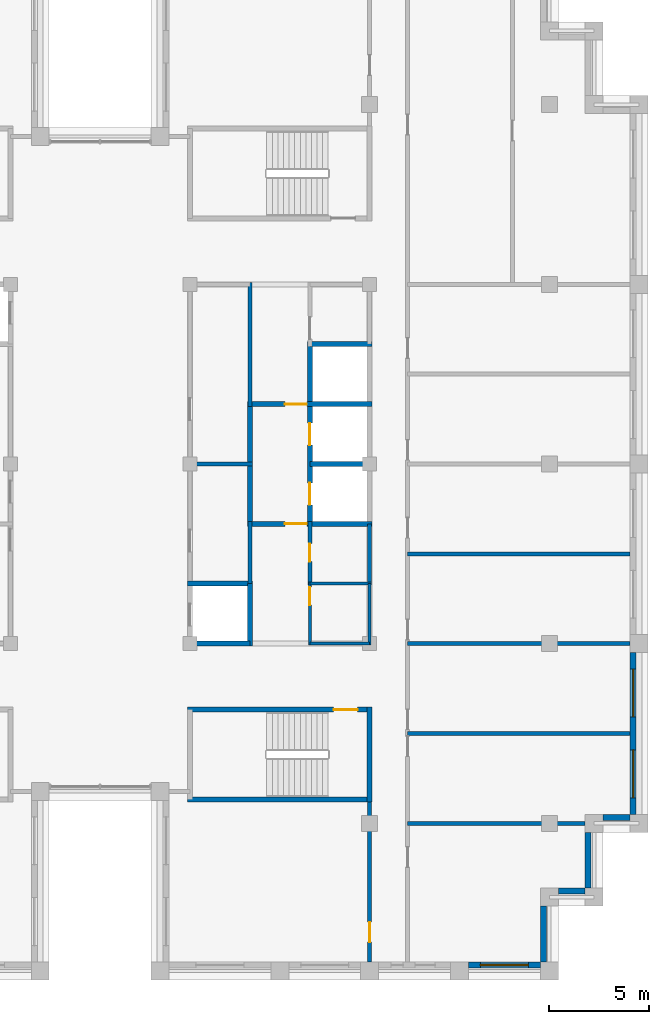
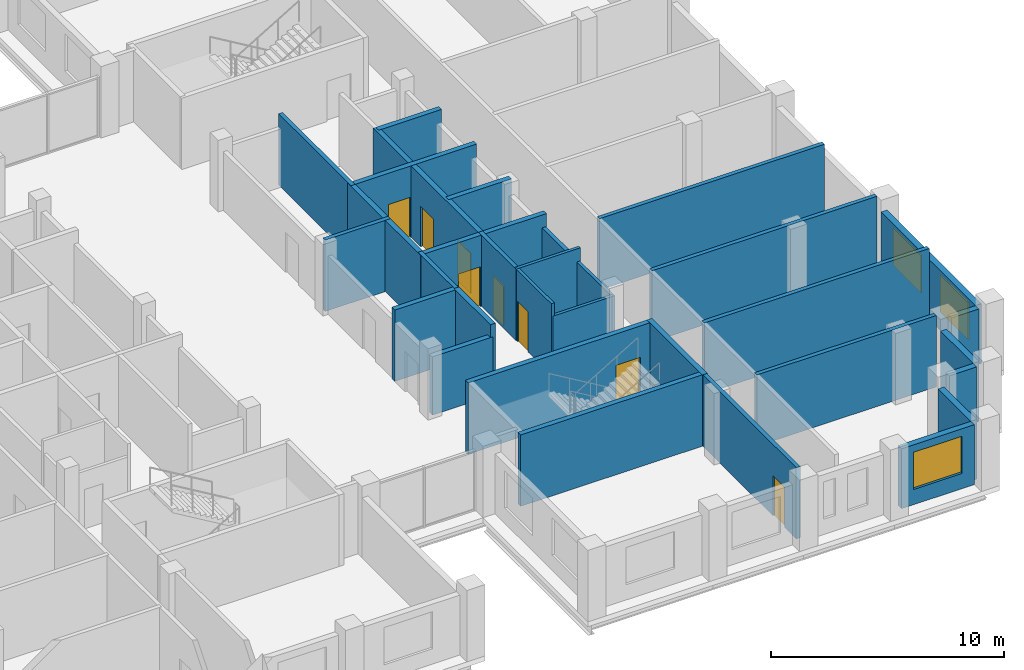
# One storey, part 8 of 13: 32 walls, 8 doors, 3 windows, 11 openings.
"""IFC4 building model written with IfcOpenShell, lengths in metres."""

from ifc_helpers import new_model, si_unit, direction, frame, frame_2d, origin, place, context, subcontext, project, spatial, rectangle, extrude, material, layer, layer_set, type_object, element, fill, save


model = new_model("IFC4")

# Units and contexts
model_context = context("Model", 3, precision=1e-05, world=origin(), true_north=direction((0.0, 1.0)))
body_context = subcontext(model_context, "Body", "Model", "MODEL_VIEW")
ifc_project = project(units=[si_unit("LENGTHUNIT", "METRE"), si_unit("AREAUNIT", "SQUARE_METRE"), si_unit("VOLUMEUNIT", "CUBIC_METRE"), si_unit("PLANEANGLEUNIT", "RADIAN"), si_unit("MASSUNIT", "GRAM", prefix="KILO")], contexts=[model_context])

# Site, building, storey
site_placement = place(None, origin())
site = spatial("IfcSite", under=ifc_project, at=site_placement, CompositionType="ELEMENT")
building_placement = place(site_placement, origin())
building = spatial("IfcBuilding", under=site, at=building_placement, Name="Corbelhall Arena Tower", CompositionType="ELEMENT")
storey_placement = place(building_placement, frame((0.0, 0.0, 338.0)))
storey = spatial("IfcBuildingStorey", under=building, at=storey_placement, Name="L74", CompositionType="ELEMENT", Elevation=338.0)

# Wall, opening, window
ifc_material_1 = material(Name="Precast concrete C40/50 with granite facing", Category="masonry")
ifc_layer_1 = layer(ifc_material_1, 0.300048828125)
ifc_layer_set_1 = layer_set([ifc_layer_1], Name="EV-IW1 Infill panel 300")
wall_type_1 = type_object("IfcWallType", Name="EV-IW1 Infill panel 300", PredefinedType="SOLIDWALL", material=ifc_layer_set_1)
wall_1_placement = place(storey_placement, frame((18.449951171875, -25.10009765625, 0.0), z_axis=(0.0, 0.0, 1.0), x_axis=(1.0, 0.0, 0.0)))
wall_1 = element("IfcWall", 1, at=wall_1_placement, inside=storey, type_object=wall_type_1, Name="Infill panel IW1", PredefinedType="SOLIDWALL", context=body_context, shape_type="SweptSolid", body=[
    extrude(rectangle(XDim=3.60009765625, YDim=0.300048828125, at=frame_2d((1.800048828125, 0.0))), origin(), (0.0, 0.0, 1.0), 3.139892578125),
])
opening_1_placement = place(wall_1_placement, frame((0.60009765625, 0.0, 0.800048828125)))
opening_1 = element("IfcOpeningElement", 2, at=opening_1_placement, cuts=wall_1, Name="Opening WN1", PredefinedType="OPENING", context=body_context, shape_type="SweptSolid", body=[
    extrude(rectangle(XDim=2.39990234375, YDim=1.949951171875, at=frame_2d((1.199951171875, 0.97509765625))), frame((0.0, 0.14990234375, 0.0), z_axis=(0.0, -1.0, 0.0), x_axis=(1.0, 0.0, 0.0)), (0.0, 0.0, 1.0), 0.300048828125),
])
ifc_material_2 = material(Name="Aluminium black anodised", Category="aluminium")
window_type = type_object("IfcWindowType", Name="EV-WN1 Office window", PartitioningType="SINGLE_PANEL", PredefinedType="WINDOW", material=ifc_material_2)
window_1_placement = place(opening_1_placement, origin())
window_1 = element("IfcWindow", 3, at=window_1_placement, inside=storey, type_object=window_type, Name="Window WN1", OverallHeight=1.949951171875, OverallWidth=2.39990234375, PartitioningType="SINGLE_PANEL", PredefinedType="WINDOW", context=body_context, shape_type="SweptSolid", body=[
    extrude(rectangle(XDim=2.39990234375, YDim=1.949951171875, at=frame_2d((1.199951171875, 0.97509765625))), frame((0.0, 0.030029296875, 0.0), z_axis=(0.0, -1.0, 0.0), x_axis=(1.0, 0.0, 0.0)), (0.0, 0.0, 1.0), 0.06005859375),
])
fill(opening_1, window_1)

# Walls
wall_2_placement = place(storey_placement, frame((22.199951171875, -24.949951171875, 0.0), z_axis=(0.0, 0.0, 1.0), x_axis=(0.0, 1.0, 0.0)))
element("IfcWall", 4, at=wall_2_placement, inside=storey, type_object=wall_type_1, Name="Infill panel IW1", PredefinedType="SOLIDWALL", context=body_context, shape_type="SweptSolid", body=[
    extrude(rectangle(XDim=2.800048828125, YDim=0.300048828125, at=frame_2d((1.39990234375, 0.0))), origin(), (0.0, 0.0, 1.0), 3.139892578125),
])
wall_3_placement = place(storey_placement, frame((22.949951171875, -21.39990234375, 0.0), z_axis=(0.0, 0.0, 1.0), x_axis=(1.0, 0.0, 0.0)))
element("IfcWall", 5, at=wall_3_placement, inside=storey, type_object=wall_type_1, Name="Infill panel IW1", PredefinedType="SOLIDWALL", context=body_context, shape_type="SweptSolid", body=[
    extrude(rectangle(XDim=1.35009765625, YDim=0.300048828125, at=frame_2d((0.675048828125, 0.0))), origin(), (0.0, 0.0, 1.0), 3.139892578125),
])
wall_4_placement = place(storey_placement, frame((24.449951171875, -21.25, 0.0), z_axis=(0.0, 0.0, 1.0), x_axis=(0.0, 1.0, 0.0)))
element("IfcWall", 6, at=wall_4_placement, inside=storey, type_object=wall_type_1, Name="Infill panel IW1", PredefinedType="SOLIDWALL", context=body_context, shape_type="SweptSolid", body=[
    extrude(rectangle(XDim=2.800048828125, YDim=0.300048828125, at=frame_2d((1.39990234375, 0.0))), origin(), (0.0, 0.0, 1.0), 3.139892578125),
])
wall_5_placement = place(storey_placement, frame((25.199951171875, -17.699951171875, 0.0), z_axis=(0.0, 0.0, 1.0), x_axis=(1.0, 0.0, 0.0)))
element("IfcWall", 7, at=wall_5_placement, inside=storey, type_object=wall_type_1, Name="Infill panel IW1", PredefinedType="SOLIDWALL", context=body_context, shape_type="SweptSolid", body=[
    extrude(rectangle(XDim=1.35009765625, YDim=0.300048828125, at=frame_2d((0.675048828125, 0.0))), origin(), (0.0, 0.0, 1.0), 3.139892578125),
])

# Wall, openings, windows
wall_6_placement = place(storey_placement, frame((26.699951171875, -17.550048828125, 0.0), z_axis=(0.0, 0.0, 1.0), x_axis=(0.0, 1.0, 0.0)))
wall_6 = element("IfcWall", 8, at=wall_6_placement, inside=storey, type_object=wall_type_1, Name="Infill panel IW1", PredefinedType="SOLIDWALL", context=body_context, shape_type="SweptSolid", body=[
    extrude(rectangle(XDim=8.10009765625, YDim=0.300048828125, at=frame_2d((4.050048828125, 0.0))), origin(), (0.0, 0.0, 1.0), 3.139892578125),
])
opening_2_placement = place(wall_6_placement, frame((0.824951171875, 0.0, 0.800048828125)))
opening_2 = element("IfcOpeningElement", 9, at=opening_2_placement, cuts=wall_6, Name="Opening WN1", PredefinedType="OPENING", context=body_context, shape_type="SweptSolid", body=[
    extrude(rectangle(XDim=2.39990234375, YDim=1.949951171875, at=frame_2d((1.199951171875, 0.97509765625))), frame((0.0, 0.14990234375, 0.0), z_axis=(0.0, -1.0, 0.0), x_axis=(1.0, 0.0, 0.0)), (0.0, 0.0, 1.0), 0.300048828125),
])
opening_3_placement = place(wall_6_placement, frame((4.875, 0.0, 0.800048828125)))
opening_3 = element("IfcOpeningElement", 10, at=opening_3_placement, cuts=wall_6, Name="Opening WN1", PredefinedType="OPENING", context=body_context, shape_type="SweptSolid", body=[
    extrude(rectangle(XDim=2.39990234375, YDim=1.949951171875, at=frame_2d((1.199951171875, 0.97509765625))), frame((0.0, 0.14990234375, 0.0), z_axis=(0.0, -1.0, 0.0), x_axis=(1.0, 0.0, 0.0)), (0.0, 0.0, 1.0), 0.300048828125),
])
window_2_placement = place(opening_2_placement, origin())
window_2 = element("IfcWindow", 11, at=window_2_placement, inside=storey, type_object=window_type, Name="Window WN1", OverallHeight=1.949951171875, OverallWidth=2.39990234375, PartitioningType="SINGLE_PANEL", PredefinedType="WINDOW", context=body_context, shape_type="SweptSolid", body=[
    extrude(rectangle(XDim=2.39990234375, YDim=1.949951171875, at=frame_2d((1.199951171875, 0.97509765625))), frame((0.0, 0.030029296875, 0.0), z_axis=(0.0, -1.0, 0.0), x_axis=(1.0, 0.0, 0.0)), (0.0, 0.0, 1.0), 0.06005859375),
])
fill(opening_2, window_2)
window_3_placement = place(opening_3_placement, origin())
window_3 = element("IfcWindow", 12, at=window_3_placement, inside=storey, type_object=window_type, Name="Window WN1", OverallHeight=1.949951171875, OverallWidth=2.39990234375, PartitioningType="SINGLE_PANEL", PredefinedType="WINDOW", context=body_context, shape_type="SweptSolid", body=[
    extrude(rectangle(XDim=2.39990234375, YDim=1.949951171875, at=frame_2d((1.199951171875, 0.97509765625))), frame((0.0, 0.030029296875, 0.0), z_axis=(0.0, -1.0, 0.0), x_axis=(1.0, 0.0, 0.0)), (0.0, 0.0, 1.0), 0.06005859375),
])
fill(opening_3, window_3)

# Wall, opening, door
ifc_material_3 = material(Name="Gypsum board on steel stud, acoustic", Category="steel")
ifc_layer_2 = layer(ifc_material_3, 0.199951171875)
ifc_layer_set_2 = layer_set([ifc_layer_2], Name="IN-W-DM200")
wall_type_2 = type_object("IfcWallType", Name="IN-W-DM200", PredefinedType="PARTITIONING", material=ifc_layer_set_2)
wall_7_placement = place(storey_placement, frame((13.5, -24.949951171875, 0.0), z_axis=(0.0, 0.0, 1.0), x_axis=(0.0, 1.0, 0.0)))
wall_7 = element("IfcWall", 13, at=wall_7_placement, inside=storey, type_object=wall_type_2, Name="Partition 020", PredefinedType="PARTITIONING", context=body_context, shape_type="SweptSolid", body=[
    extrude(rectangle(XDim=8.27490234375, YDim=0.199951171875, at=frame_2d((4.137451171875, 0.0))), origin(), (0.0, 0.0, 1.0), 3.739990234375),
])
opening_4_placement = place(wall_7_placement, frame((1.0, 0.0, 0.0)))
opening_4 = element("IfcOpeningElement", 14, at=opening_4_placement, cuts=wall_7, Name="Opening 24021", PredefinedType="OPENING", context=body_context, shape_type="SweptSolid", body=[
    extrude(rectangle(XDim=1.0, YDim=2.10009765625, at=frame_2d((0.5, 1.050048828125))), frame((0.0, 0.10009765625, 0.0), z_axis=(0.0, -1.0, 0.0), x_axis=(1.0, 0.0, 0.0)), (0.0, 0.0, 1.0), 0.199951171875),
])
ifc_material_4 = material(Name="Steel door set", Category="steel")
door_type_1 = type_object("IfcDoorType", Name="IN-D-SW100", OperationType="NOTDEFINED", PredefinedType="DOOR", material=ifc_material_4)
door_1_placement = place(opening_4_placement, origin())
door_1 = element("IfcDoor", 15, at=door_1_placement, inside=storey, type_object=door_type_1, Name="Door 021", OperationType="SINGLE_SWING_RIGHT", OverallHeight=2.10009765625, OverallWidth=1.0, PredefinedType="DOOR", context=body_context, shape_type="SweptSolid", body=[
    extrude(rectangle(XDim=1.0, YDim=2.10009765625, at=frame_2d((0.5, 1.050048828125))), frame((0.0, 0.02490234375, 0.0), z_axis=(0.0, -1.0, 0.0), x_axis=(1.0, 0.0, 0.0)), (0.0, 0.0, 1.0), 0.050048828125),
])
fill(opening_4, door_1)

# Walls
wall_8_placement = place(storey_placement, frame((15.39990234375, -18.0, 0.0), z_axis=(0.0, 0.0, 1.0), x_axis=(1.0, 0.0, 0.0)))
element("IfcWall", 16, at=wall_8_placement, inside=storey, type_object=wall_type_2, Name="Partition 022", PredefinedType="PARTITIONING", context=body_context, shape_type="SweptSolid", body=[
    extrude(rectangle(XDim=8.900146484375, YDim=0.199951171875, at=frame_2d((4.4501953125, 0.0))), origin(), (0.0, 0.0, 1.0), 3.739990234375),
])
for number, where, z_axis, x_axis, name in (
    (17, (15.39990234375, -13.5, 0.0), (0.0, 0.0, 1.0), (1.0, 0.0, 0.0), "Partition 024"),
    (18, (15.39990234375, -9.0, 0.0), (0.0, 0.0, 1.0), (1.0, 0.0, 0.0), "Partition 025"),
    (19, (15.39990234375, -4.5, 0.0), (0.0, 0.0, 1.0), (1.0, 0.0, 0.0), "Partition 026"),
):
    element("IfcWall", number, at=place(storey_placement, frame(where, z_axis=z_axis, x_axis=x_axis)), inside=storey, type_object=wall_type_2, Name=name, PredefinedType="PARTITIONING", context=body_context, shape_type="SweptSolid", body=[
        extrude(rectangle(XDim=11.150146484375, YDim=0.199951171875, at=frame_2d((5.5751953125, 0.0))), origin(), (0.0, 0.0, 1.0), 3.739990234375),
    ])
ifc_material_5 = material(Name="Concrete block wall", Category="concrete")
ifc_layer_3 = layer(ifc_material_5, 0.199951171875)
ifc_layer_set_3 = layer_set([ifc_layer_3], Name="IN-W-RS200")
wall_type_3 = type_object("IfcWallType", Name="IN-W-RS200", PredefinedType="SOLIDWALL", material=ifc_layer_set_3)
wall_9_placement = place(storey_placement, frame((4.39990234375, 0.0, 0.0), z_axis=(0.0, 0.0, 1.0), x_axis=(1.0, 0.0, 0.0)))
element("IfcWall", 20, at=wall_9_placement, inside=storey, type_object=wall_type_3, Name="Partition 038", PredefinedType="SOLIDWALL", context=body_context, shape_type="SweptSolid", body=[
    extrude(rectangle(XDim=3.22509765625, YDim=0.199951171875, at=frame_2d((1.612548828125, 0.0))), origin(), (0.0, 0.0, 1.0), 3.739990234375),
])
wall_10_placement = place(storey_placement, frame((7.5, -2.875, 0.0), z_axis=(0.0, 0.0, 1.0), x_axis=(0.0, -1.0, 0.0)))
element("IfcWall", 21, at=wall_10_placement, inside=storey, type_object=wall_type_3, Name="Partition 041", PredefinedType="SOLIDWALL", context=body_context, shape_type="SweptSolid", body=[
    extrude(rectangle(XDim=3.125, YDim=0.199951171875, at=frame_2d((1.5625, 0.0))), origin(), (0.0, 0.0, 1.0), 3.739990234375),
])
wall_11_placement = place(storey_placement, frame((7.5, 9.10009765625, 0.0), z_axis=(0.0, 0.0, 1.0), x_axis=(0.0, -1.0, 0.0)))
element("IfcWall", 22, at=wall_11_placement, inside=storey, type_object=wall_type_3, Name="Partition 042", PredefinedType="SOLIDWALL", context=body_context, shape_type="SweptSolid", body=[
    extrude(rectangle(XDim=6.22509765625, YDim=0.199951171875, at=frame_2d((3.112548828125, 0.0))), origin(), (0.0, 0.0, 1.0), 3.739990234375),
])

# Wall, opening, door
wall_12_placement = place(storey_placement, frame((10.5, -2.875, 0.0), z_axis=(0.0, 0.0, 1.0), x_axis=(0.0, -1.0, 0.0)))
wall_12 = element("IfcWall", 23, at=wall_12_placement, inside=storey, type_object=wall_type_3, Name="Partition 043", PredefinedType="SOLIDWALL", context=body_context, shape_type="SweptSolid", body=[
    extrude(rectangle(XDim=3.199951171875, YDim=0.199951171875, at=frame_2d((1.60009765625, 0.0))), origin(), (0.0, 0.0, 1.0), 3.739990234375),
])
opening_5_placement = place(wall_12_placement, frame((1.1201171875, 0.0, 0.0)))
opening_5 = element("IfcOpeningElement", 24, at=opening_5_placement, cuts=wall_12, Name="Opening 24039", PredefinedType="OPENING", context=body_context, shape_type="SweptSolid", body=[
    extrude(rectangle(XDim=0.89990234375, YDim=2.10009765625, at=frame_2d((0.449951171875, 1.050048828125))), frame((0.0, 0.10009765625, 0.0), z_axis=(0.0, -1.0, 0.0), x_axis=(1.0, 0.0, 0.0)), (0.0, 0.0, 1.0), 0.199951171875),
])
ifc_material_6 = material(Name="Timber door set", Category="wood")
door_type_2 = type_object("IfcDoorType", Name="IN-D-SW90", OperationType="NOTDEFINED", PredefinedType="DOOR", material=ifc_material_6)
door_2_placement = place(opening_5_placement, origin())
door_2 = element("IfcDoor", 25, at=door_2_placement, inside=storey, type_object=door_type_2, Name="Door 039", OperationType="SINGLE_SWING_LEFT", OverallHeight=2.10009765625, OverallWidth=0.89990234375, PredefinedType="DOOR", context=body_context, shape_type="SweptSolid", body=[
    extrude(rectangle(XDim=0.89990234375, YDim=2.10009765625, at=frame_2d((0.449951171875, 1.050048828125))), frame((0.0, 0.02490234375, 0.0), z_axis=(0.0, -1.0, 0.0), x_axis=(1.0, 0.0, 0.0)), (0.0, 0.0, 1.0), 0.050048828125),
])
fill(opening_5, door_2)

# Walls
ifc_layer_4 = layer(ifc_material_5, 0.199951171875)
ifc_layer_set_4 = layer_set([ifc_layer_4], Name="IN-W-RS200 under beam 678 mm")
wall_type_4 = type_object("IfcWallType", Name="IN-W-RS200 under beam 678 mm", PredefinedType="SOLIDWALL", material=ifc_layer_set_4)
wall_13_placement = place(storey_placement, frame((13.5, -3.0, 0.0), z_axis=(0.0, 0.0, 1.0), x_axis=(0.0, -1.0, 0.0)))
element("IfcWall", 26, at=wall_13_placement, inside=storey, type_object=wall_type_4, Name="Partition 046", PredefinedType="SOLIDWALL", context=body_context, shape_type="SweptSolid", body=[
    extrude(rectangle(XDim=3.0, YDim=0.199951171875, at=frame_2d((1.5, 0.0))), origin(), (0.0, 0.0, 1.0), 3.061767578125),
])
ifc_material_7 = material(Name="Concrete C40/50", Category="concrete")
ifc_layer_5 = layer(ifc_material_7, 0.25)
ifc_layer_set_5 = layer_set([ifc_layer_5], Name="IN-W-SH250")
wall_type_5 = type_object("IfcWallType", Name="IN-W-SH250", PredefinedType="SOLIDWALL", material=ifc_layer_set_5)
wall_14_placement = place(storey_placement, frame((4.375, -6.0, 0.0), z_axis=(0.0, 0.0, 1.0), x_axis=(1.0, 0.0, 0.0)))
element("IfcWall", 27, at=wall_14_placement, inside=storey, type_object=wall_type_5, Name="Shaft wall 058", PredefinedType="SOLIDWALL", context=body_context, shape_type="SweptSolid", body=[
    extrude(rectangle(XDim=3.25, YDim=0.25, at=frame_2d((1.625, 0.0))), origin(), (0.0, 0.0, 1.0), 3.739990234375),
])
wall_15_placement = place(storey_placement, frame((7.5, -6.0, 0.0), z_axis=(0.0, 0.0, 1.0), x_axis=(0.0, -1.0, 0.0)))
element("IfcWall", 28, at=wall_15_placement, inside=storey, type_object=wall_type_5, Name="Shaft wall 061", PredefinedType="SOLIDWALL", context=body_context, shape_type="SweptSolid", body=[
    extrude(rectangle(XDim=3.125, YDim=0.25, at=frame_2d((1.5625, 0.0))), origin(), (0.0, 0.0, 1.0), 3.739990234375),
])

# Wall, opening, door
wall_16_placement = place(storey_placement, frame((7.5, -3.0, 0.0), z_axis=(0.0, 0.0, 1.0), x_axis=(1.0, 0.0, 0.0)))
wall_16 = element("IfcWall", 29, at=wall_16_placement, inside=storey, type_object=wall_type_5, Name="Shaft wall 062", PredefinedType="SOLIDWALL", context=body_context, shape_type="SweptSolid", body=[
    extrude(rectangle(XDim=6.125, YDim=0.25, at=frame_2d((3.0625, 0.0))), origin(), (0.0, 0.0, 1.0), 3.739990234375),
])
opening_6_placement = place(wall_16_placement, frame((1.75, 0.0, 0.0)))
opening_6 = element("IfcOpeningElement", 30, at=opening_6_placement, cuts=wall_16, Name="Opening 24010", PredefinedType="OPENING", context=body_context, shape_type="SweptSolid", body=[
    extrude(rectangle(XDim=1.10009765625, YDim=2.10009765625, at=frame_2d((0.550048828125, 1.050048828125))), frame((0.0, 0.125, 0.0), z_axis=(0.0, -1.0, 0.0), x_axis=(1.0, 0.0, 0.0)), (0.0, 0.0, 1.0), 0.25),
])
door_type_3 = type_object("IfcDoorType", Name="IN-D-FD110", OperationType="NOTDEFINED", PredefinedType="DOOR", material=ifc_material_4)
door_3_placement = place(opening_6_placement, origin())
door_3 = element("IfcDoor", 31, at=door_3_placement, inside=storey, type_object=door_type_3, Name="Door 010", OperationType="SINGLE_SWING_LEFT", OverallHeight=2.10009765625, OverallWidth=1.10009765625, PredefinedType="DOOR", context=body_context, shape_type="SweptSolid", body=[
    extrude(rectangle(XDim=1.10009765625, YDim=2.10009765625, at=frame_2d((0.550048828125, 1.050048828125))), frame((0.0, 0.02490234375, 0.0), z_axis=(0.0, -1.0, 0.0), x_axis=(1.0, 0.0, 0.0)), (0.0, 0.0, 1.0), 0.050048828125),
])
fill(opening_6, door_3)

# Wall
wall_17_placement = place(storey_placement, frame((7.5, 3.125, 0.0), z_axis=(0.0, 0.0, 1.0), x_axis=(0.0, -1.0, 0.0)))
element("IfcWall", 32, at=wall_17_placement, inside=storey, type_object=wall_type_5, Name="Shaft wall 063", PredefinedType="SOLIDWALL", context=body_context, shape_type="SweptSolid", body=[
    extrude(rectangle(XDim=6.25, YDim=0.25, at=frame_2d((3.125, 0.0))), origin(), (0.0, 0.0, 1.0), 3.739990234375),
])

# Wall, opening, door
wall_18_placement = place(storey_placement, frame((7.5, 3.0, 0.0), z_axis=(0.0, 0.0, 1.0), x_axis=(1.0, 0.0, 0.0)))
wall_18 = element("IfcWall", 33, at=wall_18_placement, inside=storey, type_object=wall_type_5, Name="Shaft wall 064", PredefinedType="SOLIDWALL", context=body_context, shape_type="SweptSolid", body=[
    extrude(rectangle(XDim=6.125, YDim=0.25, at=frame_2d((3.0625, 0.0))), origin(), (0.0, 0.0, 1.0), 3.739990234375),
])
opening_7_placement = place(wall_18_placement, frame((1.75, 0.0, 0.0)))
opening_7 = element("IfcOpeningElement", 34, at=opening_7_placement, cuts=wall_18, Name="Opening 24011", PredefinedType="OPENING", context=body_context, shape_type="SweptSolid", body=[
    extrude(rectangle(XDim=1.10009765625, YDim=2.10009765625, at=frame_2d((0.550048828125, 1.050048828125))), frame((0.0, 0.125, 0.0), z_axis=(0.0, -1.0, 0.0), x_axis=(1.0, 0.0, 0.0)), (0.0, 0.0, 1.0), 0.25),
])
door_4_placement = place(opening_7_placement, origin())
door_4 = element("IfcDoor", 35, at=door_4_placement, inside=storey, type_object=door_type_3, Name="Door 011", OperationType="SINGLE_SWING_RIGHT", OverallHeight=2.10009765625, OverallWidth=1.10009765625, PredefinedType="DOOR", context=body_context, shape_type="SweptSolid", body=[
    extrude(rectangle(XDim=1.10009765625, YDim=2.10009765625, at=frame_2d((0.550048828125, 1.050048828125))), frame((0.0, 0.02490234375, 0.0), z_axis=(0.0, -1.0, 0.0), x_axis=(1.0, 0.0, 0.0)), (0.0, 0.0, 1.0), 0.050048828125),
])
fill(opening_7, door_4)

# Wall
wall_19_placement = place(storey_placement, frame((10.5, 0.0, 0.0), z_axis=(0.0, 0.0, 1.0), x_axis=(1.0, 0.0, 0.0)))
element("IfcWall", 36, at=wall_19_placement, inside=storey, type_object=wall_type_5, Name="Shaft wall 065", PredefinedType="SOLIDWALL", context=body_context, shape_type="SweptSolid", body=[
    extrude(rectangle(XDim=3.125, YDim=0.25, at=frame_2d((1.5625, 0.0))), origin(), (0.0, 0.0, 1.0), 3.739990234375),
])

# Wall, openings, doors
wall_20_placement = place(storey_placement, frame((10.5, 6.125, 0.0), z_axis=(0.0, 0.0, 1.0), x_axis=(0.0, -1.0, 0.0)))
wall_20 = element("IfcWall", 37, at=wall_20_placement, inside=storey, type_object=wall_type_5, Name="Shaft wall 066", PredefinedType="SOLIDWALL", context=body_context, shape_type="SweptSolid", body=[
    extrude(rectangle(XDim=9.25, YDim=0.25, at=frame_2d((4.625, 0.0))), origin(), (0.0, 0.0, 1.0), 3.739990234375),
])
opening_8_placement = place(wall_20_placement, frame((7.074951171875, 0.0, 0.0)))
opening_8 = element("IfcOpeningElement", 38, at=opening_8_placement, cuts=wall_20, Name="Opening LD", PredefinedType="OPENING", context=body_context, shape_type="SweptSolid", body=[
    extrude(rectangle(XDim=1.10009765625, YDim=2.10009765625, at=frame_2d((0.550048828125, 1.050048828125))), frame((0.0, 0.125, 0.0), z_axis=(0.0, -1.0, 0.0), x_axis=(1.0, 0.0, 0.0)), (0.0, 0.0, 1.0), 0.25),
])
opening_9_placement = place(wall_20_placement, frame((4.074951171875, 0.0, 0.0)))
opening_9 = element("IfcOpeningElement", 39, at=opening_9_placement, cuts=wall_20, Name="Opening LD", PredefinedType="OPENING", context=body_context, shape_type="SweptSolid", body=[
    extrude(rectangle(XDim=1.10009765625, YDim=2.10009765625, at=frame_2d((0.550048828125, 1.050048828125))), frame((0.0, 0.125, 0.0), z_axis=(0.0, -1.0, 0.0), x_axis=(1.0, 0.0, 0.0)), (0.0, 0.0, 1.0), 0.25),
])
door_type_4 = type_object("IfcDoorType", Name="IN-D-LD110", OperationType="NOTDEFINED", PredefinedType="DOOR", material=ifc_material_4)
door_5_placement = place(opening_8_placement, origin())
door_5 = element("IfcDoor", 40, at=door_5_placement, inside=storey, type_object=door_type_4, Name="Landing door E3", OperationType="SLIDING_TO_LEFT", OverallHeight=2.10009765625, OverallWidth=1.10009765625, PredefinedType="DOOR", context=body_context, shape_type="SweptSolid", body=[
    extrude(rectangle(XDim=1.10009765625, YDim=2.10009765625, at=frame_2d((0.550048828125, 1.050048828125))), frame((0.0, 0.02490234375, 0.0), z_axis=(0.0, -1.0, 0.0), x_axis=(1.0, 0.0, 0.0)), (0.0, 0.0, 1.0), 0.050048828125),
])
fill(opening_8, door_5)
door_6_placement = place(opening_9_placement, origin())
door_6 = element("IfcDoor", 41, at=door_6_placement, inside=storey, type_object=door_type_4, Name="Landing door E4", OperationType="SLIDING_TO_LEFT", OverallHeight=2.10009765625, OverallWidth=1.10009765625, PredefinedType="DOOR", context=body_context, shape_type="SweptSolid", body=[
    extrude(rectangle(XDim=1.10009765625, YDim=2.10009765625, at=frame_2d((0.550048828125, 1.050048828125))), frame((0.0, 0.02490234375, 0.0), z_axis=(0.0, -1.0, 0.0), x_axis=(1.0, 0.0, 0.0)), (0.0, 0.0, 1.0), 0.050048828125),
])
fill(opening_9, door_6)

# Walls
wall_21_placement = place(storey_placement, frame((10.5, 6.0, 0.0), z_axis=(0.0, 0.0, 1.0), x_axis=(1.0, 0.0, 0.0)))
element("IfcWall", 42, at=wall_21_placement, inside=storey, type_object=wall_type_5, Name="Shaft wall 067", PredefinedType="SOLIDWALL", context=body_context, shape_type="SweptSolid", body=[
    extrude(rectangle(XDim=3.125, YDim=0.25, at=frame_2d((1.5625, 0.0))), origin(), (0.0, 0.0, 1.0), 3.739990234375),
])
ifc_layer_6 = layer(ifc_material_7, 0.25)
ifc_layer_set_6 = layer_set([ifc_layer_6], Name="IN-W-SH250 under beam 678 mm")
wall_type_6 = type_object("IfcWallType", Name="IN-W-SH250 under beam 678 mm", PredefinedType="SOLIDWALL", material=ifc_layer_set_6)
wall_22_placement = place(storey_placement, frame((7.5, -9.0, 0.0), z_axis=(0.0, 0.0, 1.0), x_axis=(-1.0, 0.0, 0.0)))
element("IfcWall", 43, at=wall_22_placement, inside=storey, type_object=wall_type_6, Name="Shaft wall 060", PredefinedType="SOLIDWALL", context=body_context, shape_type="SweptSolid", body=[
    extrude(rectangle(XDim=3.0, YDim=0.25, at=frame_2d((1.5, 0.0))), origin(), (0.0, 0.0, 1.0), 3.061767578125),
])
ifc_layer_7 = layer(ifc_material_7, 0.25)
ifc_layer_set_7 = layer_set([ifc_layer_7], Name="IN-W-ST250")
wall_type_7 = type_object("IfcWallType", Name="IN-W-ST250", PredefinedType="SOLIDWALL", material=ifc_layer_set_7)
wall_23_placement = place(storey_placement, frame((13.5, -16.925048828125, 0.0), z_axis=(0.0, 0.0, 1.0), x_axis=(0.0, 1.0, 0.0)))
element("IfcWall", 44, at=wall_23_placement, inside=storey, type_object=wall_type_7, Name="Shaft wall 081", PredefinedType="SOLIDWALL", context=body_context, shape_type="SweptSolid", body=[
    extrude(rectangle(XDim=4.75, YDim=0.25, at=frame_2d((2.375, 0.0))), origin(), (0.0, 0.0, 1.0), 3.739990234375),
])
wall_24_placement = place(storey_placement, frame((13.5, -16.800048828125, 0.0), z_axis=(0.0, 0.0, 1.0), x_axis=(-1.0, 0.0, 0.0)))
element("IfcWall", 45, at=wall_24_placement, inside=storey, type_object=wall_type_7, Name="Shaft wall 082", PredefinedType="SOLIDWALL", context=body_context, shape_type="SweptSolid", body=[
    extrude(rectangle(XDim=9.125, YDim=0.25, at=frame_2d((4.5625, 0.0))), origin(), (0.0, 0.0, 1.0), 3.739990234375),
])

# Wall, opening, door
wall_25_placement = place(storey_placement, frame((13.5, -12.300048828125, 0.0), z_axis=(0.0, 0.0, 1.0), x_axis=(-1.0, 0.0, 0.0)))
wall_25 = element("IfcWall", 46, at=wall_25_placement, inside=storey, type_object=wall_type_7, Name="Shaft wall 083", PredefinedType="SOLIDWALL", context=body_context, shape_type="SweptSolid", body=[
    extrude(rectangle(XDim=9.125, YDim=0.25, at=frame_2d((4.5625, 0.0))), origin(), (0.0, 0.0, 1.0), 3.739990234375),
])
opening_10_placement = place(wall_25_placement, frame((0.60009765625, 0.0, 0.0)))
opening_10 = element("IfcOpeningElement", 47, at=opening_10_placement, cuts=wall_25, Name="Opening 24017", PredefinedType="OPENING", context=body_context, shape_type="SweptSolid", body=[
    extrude(rectangle(XDim=1.199951171875, YDim=2.10009765625, at=frame_2d((0.60009765625, 1.050048828125))), frame((0.0, 0.125, 0.0), z_axis=(0.0, -1.0, 0.0), x_axis=(1.0, 0.0, 0.0)), (0.0, 0.0, 1.0), 0.25),
])
door_type_5 = type_object("IfcDoorType", Name="IN-D-ST120", OperationType="NOTDEFINED", PredefinedType="DOOR", material=ifc_material_4)
door_7_placement = place(opening_10_placement, origin())
door_7 = element("IfcDoor", 48, at=door_7_placement, inside=storey, type_object=door_type_5, Name="Door 017", OperationType="SINGLE_SWING_RIGHT", OverallHeight=2.10009765625, OverallWidth=1.199951171875, PredefinedType="DOOR", context=body_context, shape_type="SweptSolid", body=[
    extrude(rectangle(XDim=1.199951171875, YDim=2.10009765625, at=frame_2d((0.60009765625, 1.050048828125))), frame((0.0, 0.02490234375, 0.0), z_axis=(0.0, -1.0, 0.0), x_axis=(1.0, 0.0, 0.0)), (0.0, 0.0, 1.0), 0.050048828125),
])
fill(opening_10, door_7)

# Wall
ifc_material_8 = material(Name="Gypsum board on steel stud, moisture resistant", Category="steel")
ifc_layer_8 = layer(ifc_material_8, 0.14990234375)
ifc_layer_set_8 = layer_set([ifc_layer_8], Name="IN-W-WC150")
wall_type_8 = type_object("IfcWallType", Name="IN-W-WC150", PredefinedType="PARTITIONING", material=ifc_layer_set_8)
wall_26_placement = place(storey_placement, frame((10.5, -6.0, 0.0), z_axis=(0.0, 0.0, 1.0), x_axis=(1.0, 0.0, 0.0)))
element("IfcWall", 49, at=wall_26_placement, inside=storey, type_object=wall_type_8, Name="Partition 092", PredefinedType="PARTITIONING", context=body_context, shape_type="SweptSolid", body=[
    extrude(rectangle(XDim=3.10009765625, YDim=0.14990234375, at=frame_2d((1.550048828125, 0.0))), origin(), (0.0, 0.0, 1.0), 3.739990234375),
])

# Wall, opening, door
wall_27_placement = place(storey_placement, frame((10.5, -5.925048828125, 0.0), z_axis=(0.0, 0.0, 1.0), x_axis=(0.0, -1.0, 0.0)))
wall_27 = element("IfcWall", 50, at=wall_27_placement, inside=storey, type_object=wall_type_8, Name="Partition 093", PredefinedType="PARTITIONING", context=body_context, shape_type="SweptSolid", body=[
    extrude(rectangle(XDim=3.14990234375, YDim=0.14990234375, at=frame_2d((1.574951171875, 0.0))), origin(), (0.0, 0.0, 1.0), 3.739990234375),
])
opening_11_placement = place(wall_27_placement, frame((0.25, 0.0, 0.0)))
opening_11 = element("IfcOpeningElement", 51, at=opening_11_placement, cuts=wall_27, Name="Opening 24012", PredefinedType="OPENING", context=body_context, shape_type="SweptSolid", body=[
    extrude(rectangle(XDim=0.89990234375, YDim=2.10009765625, at=frame_2d((0.449951171875, 1.050048828125))), frame((0.0, 0.074951171875, 0.0), z_axis=(0.0, -1.0, 0.0), x_axis=(1.0, 0.0, 0.0)), (0.0, 0.0, 1.0), 0.14990234375),
])
door_8_placement = place(opening_11_placement, origin())
door_8 = element("IfcDoor", 52, at=door_8_placement, inside=storey, type_object=door_type_2, Name="Door 012", OperationType="SINGLE_SWING_LEFT", OverallHeight=2.10009765625, OverallWidth=0.89990234375, PredefinedType="DOOR", context=body_context, shape_type="SweptSolid", body=[
    extrude(rectangle(XDim=0.89990234375, YDim=2.10009765625, at=frame_2d((0.449951171875, 1.050048828125))), frame((0.0, 0.02490234375, 0.0), z_axis=(0.0, -1.0, 0.0), x_axis=(1.0, 0.0, 0.0)), (0.0, 0.0, 1.0), 0.050048828125),
])
fill(opening_11, door_8)

# Walls
ifc_layer_9 = layer(ifc_material_8, 0.14990234375)
ifc_layer_set_9 = layer_set([ifc_layer_9], Name="IN-W-WC150 under beam 678 mm")
wall_type_9 = type_object("IfcWallType", Name="IN-W-WC150 under beam 678 mm", PredefinedType="PARTITIONING", material=ifc_layer_set_9)
wall_28_placement = place(storey_placement, frame((13.5, -9.0, 0.0), z_axis=(0.0, 0.0, 1.0), x_axis=(-1.0, 0.0, 0.0)))
element("IfcWall", 53, at=wall_28_placement, inside=storey, type_object=wall_type_9, Name="Partition 094", PredefinedType="PARTITIONING", context=body_context, shape_type="SweptSolid", body=[
    extrude(rectangle(XDim=3.0, YDim=0.14990234375, at=frame_2d((1.5, 0.0))), origin(), (0.0, 0.0, 1.0), 3.061767578125),
])
wall_29_placement = place(storey_placement, frame((13.5, -6.0, 0.0), z_axis=(0.0, 0.0, 1.0), x_axis=(0.0, -1.0, 0.0)))
element("IfcWall", 54, at=wall_29_placement, inside=storey, type_object=wall_type_9, Name="Partition 095", PredefinedType="PARTITIONING", context=body_context, shape_type="SweptSolid", body=[
    extrude(rectangle(XDim=3.074951171875, YDim=0.14990234375, at=frame_2d((1.53759765625, 0.0))), origin(), (0.0, 0.0, 1.0), 3.061767578125),
])

save(model, "model.ifc")
